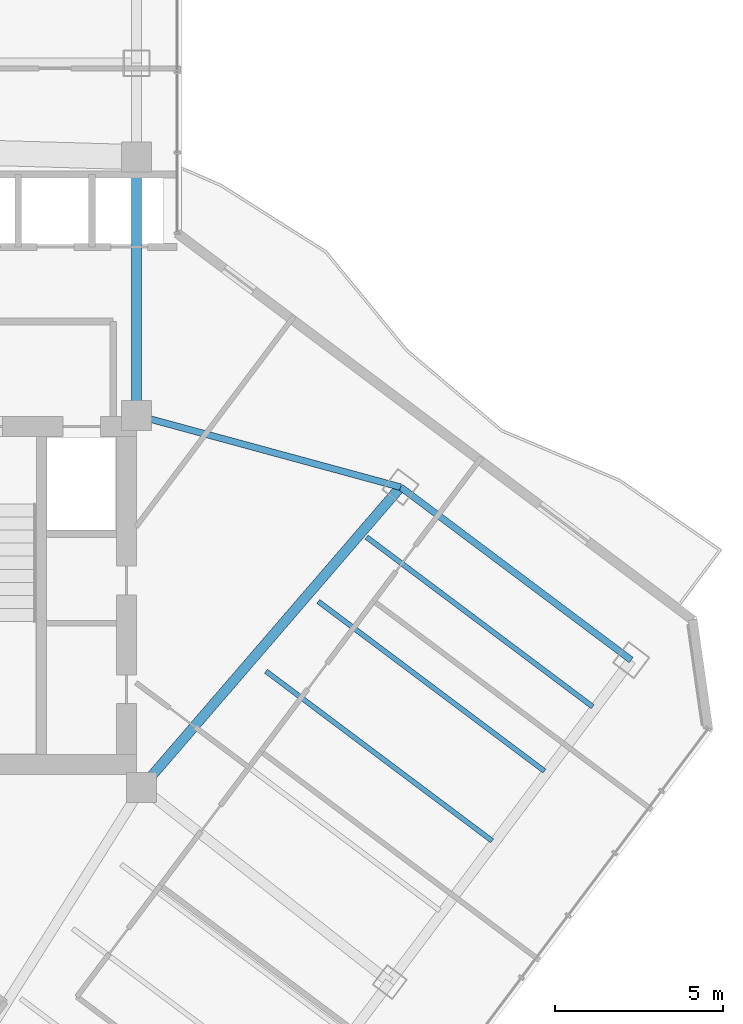
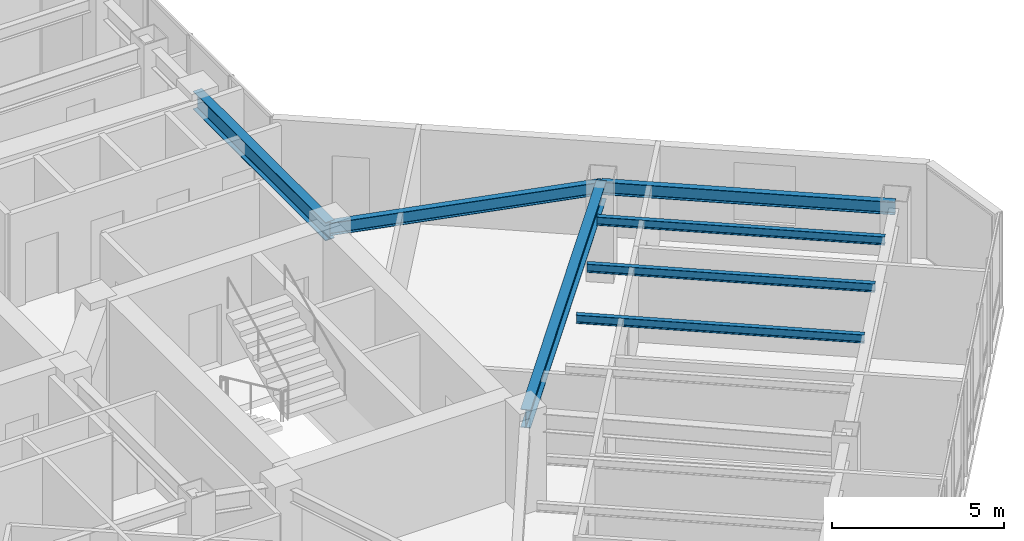
# One storey, part 14 of 27: 7 beams.
"""IFC4 building model written with IfcOpenShell, lengths in metres."""

from ifc_helpers import new_model, si_unit, direction, frame, origin, origin_2d, place, context, subcontext, project, spatial, i_section, extrude, material, material_profile, profile_set, type_object, element, save


model = new_model("IFC4")

# Units and contexts
model_context = context("Model", 3, precision=1e-05, world=origin(), true_north=direction((0.0, 1.0)))
body_context = subcontext(model_context, "Body", "Model", "MODEL_VIEW")
ifc_project = project(units=[si_unit("LENGTHUNIT", "METRE"), si_unit("AREAUNIT", "SQUARE_METRE"), si_unit("VOLUMEUNIT", "CUBIC_METRE"), si_unit("PLANEANGLEUNIT", "RADIAN"), si_unit("MASSUNIT", "GRAM", prefix="KILO")], contexts=[model_context])

# Site, building, storey
site_placement = place(None, origin())
site = spatial("IfcSite", under=ifc_project, at=site_placement, CompositionType="ELEMENT")
building_placement = place(site_placement, origin())
building = spatial("IfcBuilding", under=site, at=building_placement, Name="Hatsunagi Terrace Concourse", CompositionType="ELEMENT")
storey_placement = place(building_placement, frame((0.0, 0.0, 163.64990234375)))
storey = spatial("IfcBuildingStorey", under=building, at=storey_placement, Name="L43", CompositionType="ELEMENT", Elevation=163.64990234375)

# Beams
ifc_material_1 = material(Name="Steel SN490B", Category="steel")
ifc_material_profile_1 = material_profile(ifc_material_1, i_section(OverallWidth=0.14990234375, OverallDepth=0.300048828125, WebThickness=0.006591796875, FlangeThickness=0.009033203125, FilletRadius=0.010986328125, at=origin_2d()), Name="H-300x150x6.5x9")
ifc_profile_set_1 = profile_set([ifc_material_profile_1], Name="Steel SN490B")
beam_type_1 = type_object("IfcBeamType", Name="OfficeJoist_H_300x150", PredefinedType="JOIST", material=ifc_profile_set_1)
for number, where, z_axis, x_axis, name in (
    (1, (47.508056640625, 27.6689453125, 3.2001953125), (0.800003475366, -0.59999536615, 0.0), (0.59999536615, 0.800003475366, 0.0), "Beam J-03 J-L43-SE-2-168"),
    (2, (49.068115234375, 29.7490234375, 3.2001953125), (0.799989573921, -0.600013901187, 0.0), (0.600013901187, 0.799989573921, 0.0), "Beam J-03 J-L43-SE-2-194"),
    (3, (50.508056640625, 31.6689453125, 3.2001953125), (0.800003475366, -0.59999536615, 0.0), (0.59999536615, 0.800003475366, 0.0), "Beam J-03 J-L43-SE-2-218"),
):
    element("IfcBeam", number, at=place(storey_placement, frame(where, z_axis=z_axis, x_axis=x_axis)), inside=storey, type_object=beam_type_1, Name=name, PredefinedType="JOIST", context=body_context, shape_type="SweptSolid", body=[
        extrude(i_section(OverallWidth=0.14990234375, OverallDepth=0.300048828125, WebThickness=0.006591796875, FlangeThickness=0.009033203125, FilletRadius=0.010986328125, at=origin_2d()), origin(), (0.0, 0.0, 1.0), 8.429931640625),
    ])
ifc_material_2 = material(Name="Steel SN490B", Category="steel")
ifc_material_profile_2 = material_profile(ifc_material_2, i_section(OverallWidth=0.300048828125, OverallDepth=0.64990234375, WebThickness=0.012939453125, FlangeThickness=0.02197265625, FilletRadius=0.01806640625, at=origin_2d()), Name="H-650x300x13x22")
ifc_profile_set_2 = profile_set([ifc_material_profile_2], Name="Steel SN490B")
beam_type_2 = type_object("IfcBeamType", Name="OfficeLowGirder_H_650x300", PredefinedType="BEAM", material=ifc_profile_set_2)
beam_1_placement = place(storey_placement, frame((43.64990234375, 35.300048828125, 3.025146484375), z_axis=(0.0, 1.0, 0.0), x_axis=(-1.0, 0.0, 0.0)))
element("IfcBeam", 4, at=beam_1_placement, inside=storey, type_object=beam_type_2, Name="Beam G-05 BM-L43-CBK3", PredefinedType="BEAM", context=body_context, shape_type="SweptSolid", body=[
    extrude(i_section(OverallWidth=0.300048828125, OverallDepth=0.64990234375, WebThickness=0.012939453125, FlangeThickness=0.02197265625, FilletRadius=0.01806640625, at=origin_2d()), origin(), (0.0, 0.0, 1.0), 7.699951171875),
])
beam_2_placement = place(storey_placement, frame((43.800048828125, 24.199951171875, 3.025146484375), z_axis=(0.652739101421, 0.757582777969, 0.0), x_axis=(-0.757582777969, 0.652739101421, 0.0)))
element("IfcBeam", 5, at=beam_2_placement, inside=storey, type_object=beam_type_2, Name="Beam G-05 BM-L43-SET-1B", PredefinedType="BEAM", context=body_context, shape_type="SweptSolid", body=[
    extrude(i_section(OverallWidth=0.300048828125, OverallDepth=0.64990234375, WebThickness=0.012939453125, FlangeThickness=0.02197265625, FilletRadius=0.01806640625, at=origin_2d()), origin(), (0.0, 0.0, 1.0), 11.8271484375),
])
ifc_material_3 = material(Name="Steel SN490B", Category="steel")
ifc_material_profile_3 = material_profile(ifc_material_3, i_section(OverallWidth=0.199951171875, OverallDepth=0.449951171875, WebThickness=0.009033203125, FlangeThickness=0.013916015625, FilletRadius=0.01611328125, at=origin_2d()), Name="H-450x200x9x14")
ifc_profile_set_3 = profile_set([ifc_material_profile_3], Name="Steel SN490B")
beam_type_3 = type_object("IfcBeamType", Name="PerimeterSpandrel_H_450x200", PredefinedType="SPANDREL", material=ifc_profile_set_3)
beam_3_placement = place(storey_placement, frame((43.64990234375, 35.300048828125, 3.125), z_axis=(0.964958359286, -0.262403057994, 0.0), x_axis=(0.262403057994, 0.964958359286, 0.0)))
element("IfcBeam", 6, at=beam_3_placement, inside=storey, type_object=beam_type_3, Name="Beam SP-02 BM-L43-SE-NE0", PredefinedType="SPANDREL", context=body_context, shape_type="SweptSolid", body=[
    extrude(i_section(OverallWidth=0.199951171875, OverallDepth=0.449951171875, WebThickness=0.009033203125, FlangeThickness=0.013916015625, FilletRadius=0.01611328125, at=origin_2d()), origin(), (0.0, 0.0, 1.0), 8.156005859375),
])
beam_4_placement = place(storey_placement, frame((51.52001953125, 33.159912109375, 3.125), z_axis=(0.8, -0.6, 0.0), x_axis=(0.6, 0.8, 0.0)))
element("IfcBeam", 7, at=beam_4_placement, inside=storey, type_object=beam_type_3, Name="Beam SP-02 BM-L43-SE-NE2", PredefinedType="SPANDREL", context=body_context, shape_type="SweptSolid", body=[
    extrude(i_section(OverallWidth=0.199951171875, OverallDepth=0.449951171875, WebThickness=0.009033203125, FlangeThickness=0.013916015625, FilletRadius=0.01611328125, at=origin_2d()), origin(), (0.0, 0.0, 1.0), 8.599853515625),
])

save(model, "model.ifc")
